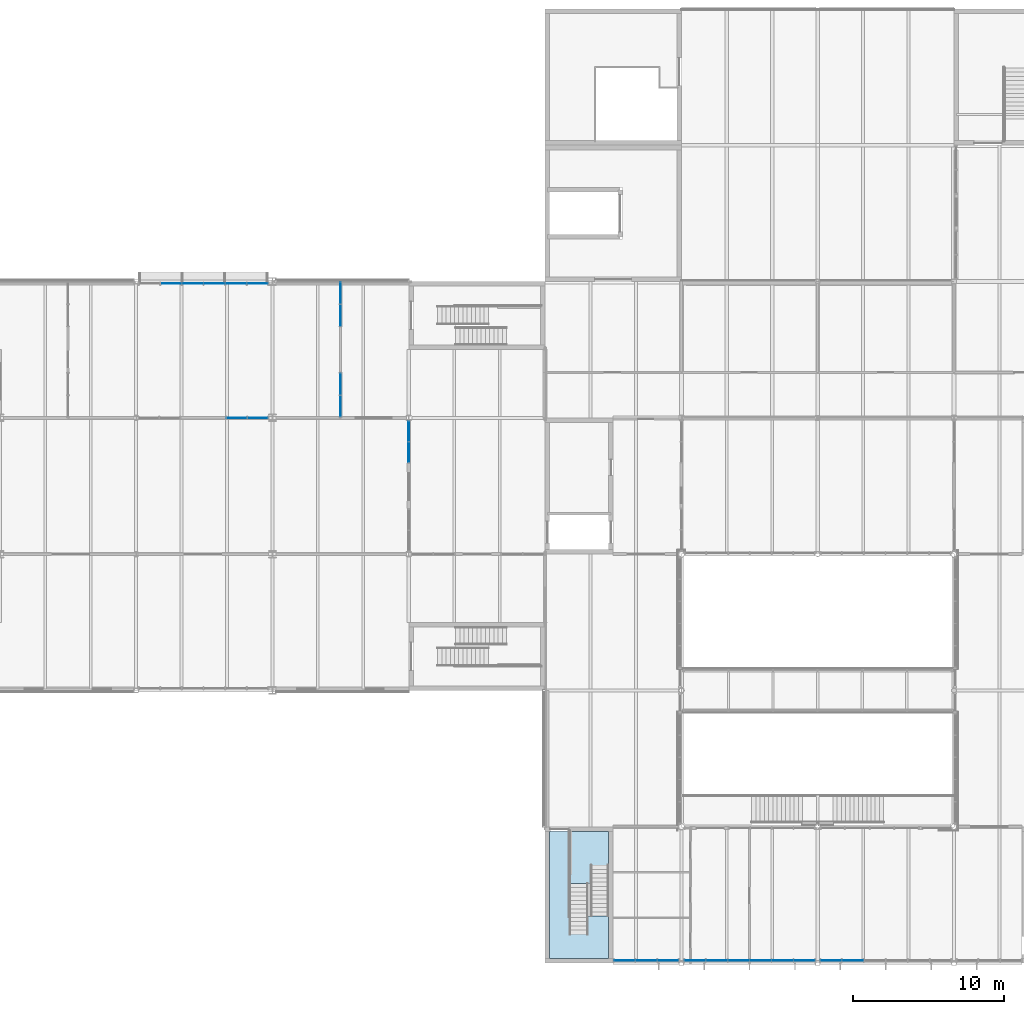
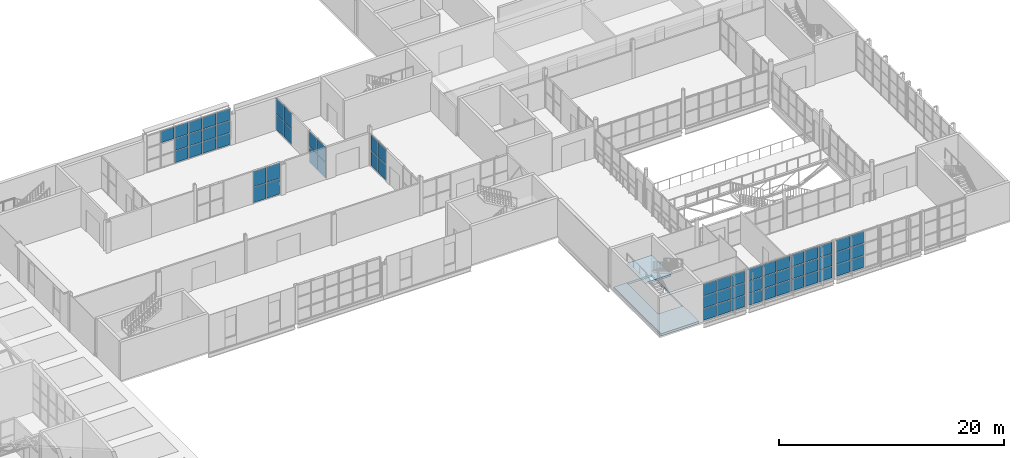
# One storey, part 36 of 61: 62 plates, 2 slabs, 9 elements without a shape of their own.
"""IFC4 building model written with IfcOpenShell, lengths in metres."""

from ifc_helpers import new_model, si_unit, direction, frame, origin, origin_2d, place, context, subcontext, project, spatial, polyline, rectangle, outline, extrude, material, layer, layer_set, type_object, element, aggregate, save


model = new_model("IFC4")

# Units and contexts
model_context = context("Model", 3, precision=1e-05, world=origin(), true_north=direction((0.0, 1.0)))
body_context = subcontext(model_context, "Body", "Model", "MODEL_VIEW")
ifc_project = project(units=[si_unit("LENGTHUNIT", "METRE"), si_unit("AREAUNIT", "SQUARE_METRE"), si_unit("VOLUMEUNIT", "CUBIC_METRE"), si_unit("PLANEANGLEUNIT", "RADIAN"), si_unit("MASSUNIT", "GRAM", prefix="KILO")], contexts=[model_context])

# Site, building, storey
site_placement = place(None, origin())
site = spatial("IfcSite", under=ifc_project, at=site_placement, CompositionType="ELEMENT")
building_placement = place(site_placement, origin())
building = spatial("IfcBuilding", under=site, at=building_placement, Name="Halyard Row Museum", CompositionType="ELEMENT")
storey_placement = place(building_placement, frame((0.0, 0.0, 9.199951171875)))
storey = spatial("IfcBuildingStorey", under=building, at=storey_placement, Name="L02", CompositionType="ELEMENT", Elevation=9.199951171875)

# Slab
ifc_material_1 = material(Name="Concrete 40 MPa", Category="concrete")
ifc_layer_1 = layer(ifc_material_1, 0.25)
ifc_layer_set_1 = layer_set([ifc_layer_1], Name="Concrete 40 MPa")
slab_type_1 = type_object("IfcSlabType", Name="Core floor slab 250", PredefinedType="FLOOR", material=ifc_layer_set_1)
slab_1_placement = place(storey_placement, frame((0.0, 0.0, -0.25)))
element("IfcSlab", 1, at=slab_1_placement, inside=storey, type_object=slab_type_1, Name="Core floor K2A L02", PredefinedType="FLOOR", context=body_context, shape_type="SweptSolid", body=[
    extrude(outline(polyline([(76.199951171875, 8.699951171875), (72.300048828125, 8.699951171875), (72.300048828125, 0.300048828125), (76.199951171875, 0.300048828125), (76.199951171875, 8.699951171875)]), holes=[polyline([(73.653076171875, 8.697021484375), (76.197021484375, 8.697021484375), (76.197021484375, 3.10302734375), (73.653076171875, 3.10302734375), (73.653076171875, 8.697021484375)])]), origin(), (0.0, 0.0, 1.0), 0.25),
])

# Curtain wall, plates
ifc_material_2 = material(Name="Double glazed unit, low-emissivity", Category="glass")
ifc_layer_2 = layer(ifc_material_2, 0.179931640625)
ifc_layer_set_2 = layer_set([ifc_layer_2], Name="Double glazed unit, low-emissivity")
curtain_wall_type_1 = type_object("IfcCurtainWallType", Name="Curtain wall stick 180 deep", PredefinedType="NOTDEFINED", material=ifc_layer_set_2)
curtain_wall_1_placement = place(storey_placement, origin())
curtain_wall_1 = element("IfcCurtainWall", 2, at=curtain_wall_1_placement, inside=storey, type_object=curtain_wall_type_1, Name="Curtain wall CW035", PredefinedType="NOTDEFINED")
ifc_material_3 = material(Name="Double glazed unit, low-emissivity", Category="glass")
ifc_layer_3 = layer(ifc_material_3, 0.028076171875)
ifc_layer_set_3 = layer_set([ifc_layer_3], Name="Double glazed unit, low-emissivity")
plate_type_1 = type_object("IfcPlateType", Name="Curtain wall glazed panel CP2 28", PredefinedType="CURTAIN_PANEL", material=ifc_layer_set_3)
plate_1_placement = place(storey_placement, frame((53.018310546875, 44.860107421875, 0.06005859375), z_axis=(0.0, 0.0, 1.0), x_axis=(-1.0, 0.0, 0.0)))
plate_1 = element("IfcPlate", 3, at=plate_1_placement, type_object=plate_type_1, Name="CW035 panel 1.1", PredefinedType="CURTAIN_PANEL", context=body_context, shape_type="SweptSolid", body=[
    extrude(rectangle(XDim=1.34326171875, YDim=0.028076171875, at=origin_2d()), origin(), (0.0, 0.0, 1.0), 1.2548828125),
])
plate_2_placement = place(storey_placement, frame((53.018310546875, 44.860107421875, 1.375), z_axis=(0.0, 0.0, 1.0), x_axis=(-1.0, 0.0, 0.0)))
plate_2 = element("IfcPlate", 4, at=plate_2_placement, type_object=plate_type_1, Name="CW035 panel 1.2", PredefinedType="CURTAIN_PANEL", context=body_context, shape_type="SweptSolid", body=[
    extrude(rectangle(XDim=1.34326171875, YDim=0.028076171875, at=origin_2d()), origin(), (0.0, 0.0, 1.0), 1.284912109375),
])
plate_3_placement = place(storey_placement, frame((53.018310546875, 44.860107421875, 2.72021484375), z_axis=(0.0, 0.0, 1.0), x_axis=(-1.0, 0.0, 0.0)))
plate_3 = element("IfcPlate", 5, at=plate_3_placement, type_object=plate_type_1, Name="CW035 panel 1.3", PredefinedType="CURTAIN_PANEL", context=body_context, shape_type="SweptSolid", body=[
    extrude(rectangle(XDim=1.34326171875, YDim=0.028076171875, at=origin_2d()), origin(), (0.0, 0.0, 1.0), 1.2548828125),
])
plate_4_placement = place(storey_placement, frame((51.60009765625, 44.860107421875, 0.06005859375), z_axis=(0.0, 0.0, 1.0), x_axis=(-1.0, 0.0, 0.0)))
plate_4 = element("IfcPlate", 6, at=plate_4_placement, type_object=plate_type_1, Name="CW035 panel 2.1", PredefinedType="CURTAIN_PANEL", context=body_context, shape_type="SweptSolid", body=[
    extrude(rectangle(XDim=1.373291015625, YDim=0.028076171875, at=origin_2d()), origin(), (0.0, 0.0, 1.0), 1.2548828125),
])
plate_5_placement = place(storey_placement, frame((51.60009765625, 44.860107421875, 1.375), z_axis=(0.0, 0.0, 1.0), x_axis=(-1.0, 0.0, 0.0)))
plate_5 = element("IfcPlate", 7, at=plate_5_placement, type_object=plate_type_1, Name="CW035 panel 2.2", PredefinedType="CURTAIN_PANEL", context=body_context, shape_type="SweptSolid", body=[
    extrude(rectangle(XDim=1.373291015625, YDim=0.028076171875, at=origin_2d()), origin(), (0.0, 0.0, 1.0), 1.284912109375),
])
plate_6_placement = place(storey_placement, frame((51.60009765625, 44.860107421875, 2.72021484375), z_axis=(0.0, 0.0, 1.0), x_axis=(-1.0, 0.0, 0.0)))
plate_6 = element("IfcPlate", 8, at=plate_6_placement, type_object=plate_type_1, Name="CW035 panel 2.3", PredefinedType="CURTAIN_PANEL", context=body_context, shape_type="SweptSolid", body=[
    extrude(rectangle(XDim=1.373291015625, YDim=0.028076171875, at=origin_2d()), origin(), (0.0, 0.0, 1.0), 1.2548828125),
])
plate_7_placement = place(storey_placement, frame((50.166748046875, 44.860107421875, 0.06005859375), z_axis=(0.0, 0.0, 1.0), x_axis=(-1.0, 0.0, 0.0)))
plate_7 = element("IfcPlate", 9, at=plate_7_placement, type_object=plate_type_1, Name="CW035 panel 3.1", PredefinedType="CURTAIN_PANEL", context=body_context, shape_type="SweptSolid", body=[
    extrude(rectangle(XDim=1.373291015625, YDim=0.028076171875, at=origin_2d()), origin(), (0.0, 0.0, 1.0), 1.2548828125),
])
plate_8_placement = place(storey_placement, frame((50.166748046875, 44.860107421875, 1.375), z_axis=(0.0, 0.0, 1.0), x_axis=(-1.0, 0.0, 0.0)))
plate_8 = element("IfcPlate", 10, at=plate_8_placement, type_object=plate_type_1, Name="CW035 panel 3.2", PredefinedType="CURTAIN_PANEL", context=body_context, shape_type="SweptSolid", body=[
    extrude(rectangle(XDim=1.373291015625, YDim=0.028076171875, at=origin_2d()), origin(), (0.0, 0.0, 1.0), 1.284912109375),
])
plate_9_placement = place(storey_placement, frame((50.166748046875, 44.860107421875, 2.72021484375), z_axis=(0.0, 0.0, 1.0), x_axis=(-1.0, 0.0, 0.0)))
plate_9 = element("IfcPlate", 11, at=plate_9_placement, type_object=plate_type_1, Name="CW035 panel 3.3", PredefinedType="CURTAIN_PANEL", context=body_context, shape_type="SweptSolid", body=[
    extrude(rectangle(XDim=1.373291015625, YDim=0.028076171875, at=origin_2d()), origin(), (0.0, 0.0, 1.0), 1.2548828125),
])
plate_10_placement = place(storey_placement, frame((48.7333984375, 44.860107421875, 0.06005859375), z_axis=(0.0, 0.0, 1.0), x_axis=(-1.0, 0.0, 0.0)))
plate_10 = element("IfcPlate", 12, at=plate_10_placement, type_object=plate_type_1, Name="CW035 panel 4.1", PredefinedType="CURTAIN_PANEL", context=body_context, shape_type="SweptSolid", body=[
    extrude(rectangle(XDim=1.373291015625, YDim=0.028076171875, at=origin_2d()), origin(), (0.0, 0.0, 1.0), 1.2548828125),
])
plate_11_placement = place(storey_placement, frame((48.7333984375, 44.860107421875, 1.375), z_axis=(0.0, 0.0, 1.0), x_axis=(-1.0, 0.0, 0.0)))
plate_11 = element("IfcPlate", 13, at=plate_11_placement, type_object=plate_type_1, Name="CW035 panel 4.2", PredefinedType="CURTAIN_PANEL", context=body_context, shape_type="SweptSolid", body=[
    extrude(rectangle(XDim=1.373291015625, YDim=0.028076171875, at=origin_2d()), origin(), (0.0, 0.0, 1.0), 1.284912109375),
])
plate_12_placement = place(storey_placement, frame((48.7333984375, 44.860107421875, 2.72021484375), z_axis=(0.0, 0.0, 1.0), x_axis=(-1.0, 0.0, 0.0)))
plate_12 = element("IfcPlate", 14, at=plate_12_placement, type_object=plate_type_1, Name="CW035 panel 4.3", PredefinedType="CURTAIN_PANEL", context=body_context, shape_type="SweptSolid", body=[
    extrude(rectangle(XDim=1.373291015625, YDim=0.028076171875, at=origin_2d()), origin(), (0.0, 0.0, 1.0), 1.2548828125),
])
plate_13_placement = place(storey_placement, frame((47.300048828125, 44.860107421875, 2.72021484375), z_axis=(0.0, 0.0, 1.0), x_axis=(-1.0, 0.0, 0.0)))
plate_13 = element("IfcPlate", 15, at=plate_13_placement, type_object=plate_type_1, Name="CW035 panel 5.3", PredefinedType="CURTAIN_PANEL", context=body_context, shape_type="SweptSolid", body=[
    extrude(rectangle(XDim=1.373291015625, YDim=0.028076171875, at=origin_2d()), origin(), (0.0, 0.0, 1.0), 1.2548828125),
])
aggregate(curtain_wall_1, [plate_1, plate_2, plate_3, plate_4, plate_5, plate_6, plate_7, plate_8, plate_9, plate_10, plate_11, plate_12, plate_13])

curtain_wall_2_placement = place(storey_placement, origin())
curtain_wall_2 = element("IfcCurtainWall", 16, at=curtain_wall_2_placement, inside=storey, type_object=curtain_wall_type_1, Name="Curtain wall CW165", PredefinedType="NOTDEFINED")
plate_14_placement = place(storey_placement, frame((51.656494140625, 36.0, 0.06005859375), z_axis=(0.0, 0.0, 1.0), x_axis=(1.0, 0.0, 0.0)))
plate_14 = element("IfcPlate", 17, at=plate_14_placement, type_object=plate_type_1, Name="CW165 panel 1.1", PredefinedType="CURTAIN_PANEL", context=body_context, shape_type="SweptSolid", body=[
    extrude(rectangle(XDim=1.315673828125, YDim=0.028076171875, at=origin_2d()), origin(), (0.0, 0.0, 1.0), 1.660888671875),
])
plate_15_placement = place(storey_placement, frame((51.656494140625, 36.0, 1.78125), z_axis=(0.0, 0.0, 1.0), x_axis=(1.0, 0.0, 0.0)))
plate_15 = element("IfcPlate", 18, at=plate_15_placement, type_object=plate_type_1, Name="CW165 panel 1.2", PredefinedType="CURTAIN_PANEL", context=body_context, shape_type="SweptSolid", body=[
    extrude(rectangle(XDim=1.315673828125, YDim=0.028076171875, at=origin_2d()), origin(), (0.0, 0.0, 1.0), 1.660888671875),
])
plate_16_placement = place(storey_placement, frame((53.0322265625, 36.0, 0.06005859375), z_axis=(0.0, 0.0, 1.0), x_axis=(1.0, 0.0, 0.0)))
plate_16 = element("IfcPlate", 19, at=plate_16_placement, type_object=plate_type_1, Name="CW165 panel 2.1", PredefinedType="CURTAIN_PANEL", context=body_context, shape_type="SweptSolid", body=[
    extrude(rectangle(XDim=1.315673828125, YDim=0.028076171875, at=origin_2d()), origin(), (0.0, 0.0, 1.0), 1.660888671875),
])
plate_17_placement = place(storey_placement, frame((53.0322265625, 36.0, 1.78125), z_axis=(0.0, 0.0, 1.0), x_axis=(1.0, 0.0, 0.0)))
plate_17 = element("IfcPlate", 20, at=plate_17_placement, type_object=plate_type_1, Name="CW165 panel 2.2", PredefinedType="CURTAIN_PANEL", context=body_context, shape_type="SweptSolid", body=[
    extrude(rectangle(XDim=1.315673828125, YDim=0.028076171875, at=origin_2d()), origin(), (0.0, 0.0, 1.0), 1.660888671875),
])
aggregate(curtain_wall_2, [plate_14, plate_15, plate_16, plate_17])

ifc_material_4 = material(Name="Double glazed unit, low-emissivity", Category="glass")
ifc_layer_4 = layer(ifc_material_4, 0.219970703125)
ifc_layer_set_4 = layer_set([ifc_layer_4], Name="Double glazed unit, low-emissivity")
curtain_wall_type_2 = type_object("IfcCurtainWallType", Name="Curtain wall unitised 220 deep", PredefinedType="NOTDEFINED", material=ifc_layer_set_4)
curtain_wall_3_placement = place(storey_placement, origin())
curtain_wall_3 = element("IfcCurtainWall", 21, at=curtain_wall_3_placement, inside=storey, type_object=curtain_wall_type_2, Name="Curtain wall CW037", PredefinedType="NOTDEFINED")
ifc_material_5 = material(Name="Double glazed unit, low-emissivity", Category="glass")
ifc_layer_5 = layer(ifc_material_5, 0.035888671875)
ifc_layer_set_5 = layer_set([ifc_layer_5], Name="Double glazed unit, low-emissivity")
plate_type_2 = type_object("IfcPlateType", Name="Curtain wall glazed panel CP3 36", PredefinedType="CURTAIN_PANEL", material=ifc_layer_set_5)
plate_18_placement = place(storey_placement, frame((77.239990234375, 0.159912109375, 0.06005859375), z_axis=(0.0, 0.0, 1.0), x_axis=(1.0, 0.0, 0.0)))
plate_18 = element("IfcPlate", 22, at=plate_18_placement, type_object=plate_type_2, Name="CW037 panel 1.1", PredefinedType="CURTAIN_PANEL", context=body_context, shape_type="SweptSolid", body=[
    extrude(rectangle(XDim=1.360107421875, YDim=0.035888671875, at=origin_2d()), origin(), (0.0, 0.0, 1.0), 1.2548828125),
])
plate_19_placement = place(storey_placement, frame((77.239990234375, 0.159912109375, 1.375), z_axis=(0.0, 0.0, 1.0), x_axis=(1.0, 0.0, 0.0)))
plate_19 = element("IfcPlate", 23, at=plate_19_placement, type_object=plate_type_2, Name="CW037 panel 1.2", PredefinedType="CURTAIN_PANEL", context=body_context, shape_type="SweptSolid", body=[
    extrude(rectangle(XDim=1.360107421875, YDim=0.035888671875, at=origin_2d()), origin(), (0.0, 0.0, 1.0), 1.284912109375),
])
plate_20_placement = place(storey_placement, frame((77.239990234375, 0.159912109375, 2.72021484375), z_axis=(0.0, 0.0, 1.0), x_axis=(1.0, 0.0, 0.0)))
plate_20 = element("IfcPlate", 24, at=plate_20_placement, type_object=plate_type_2, Name="CW037 panel 1.3", PredefinedType="CURTAIN_PANEL", context=body_context, shape_type="SweptSolid", body=[
    extrude(rectangle(XDim=1.360107421875, YDim=0.035888671875, at=origin_2d()), origin(), (0.0, 0.0, 1.0), 1.2548828125),
])
plate_21_placement = place(storey_placement, frame((78.675048828125, 0.159912109375, 0.06005859375), z_axis=(0.0, 0.0, 1.0), x_axis=(1.0, 0.0, 0.0)))
plate_21 = element("IfcPlate", 25, at=plate_21_placement, type_object=plate_type_2, Name="CW037 panel 2.1", PredefinedType="CURTAIN_PANEL", context=body_context, shape_type="SweptSolid", body=[
    extrude(rectangle(XDim=1.389892578125, YDim=0.035888671875, at=origin_2d()), origin(), (0.0, 0.0, 1.0), 1.2548828125),
])
plate_22_placement = place(storey_placement, frame((78.675048828125, 0.159912109375, 1.375), z_axis=(0.0, 0.0, 1.0), x_axis=(1.0, 0.0, 0.0)))
plate_22 = element("IfcPlate", 26, at=plate_22_placement, type_object=plate_type_2, Name="CW037 panel 2.2", PredefinedType="CURTAIN_PANEL", context=body_context, shape_type="SweptSolid", body=[
    extrude(rectangle(XDim=1.389892578125, YDim=0.035888671875, at=origin_2d()), origin(), (0.0, 0.0, 1.0), 1.284912109375),
])
plate_23_placement = place(storey_placement, frame((78.675048828125, 0.159912109375, 2.72021484375), z_axis=(0.0, 0.0, 1.0), x_axis=(1.0, 0.0, 0.0)))
plate_23 = element("IfcPlate", 27, at=plate_23_placement, type_object=plate_type_2, Name="CW037 panel 2.3", PredefinedType="CURTAIN_PANEL", context=body_context, shape_type="SweptSolid", body=[
    extrude(rectangle(XDim=1.389892578125, YDim=0.035888671875, at=origin_2d()), origin(), (0.0, 0.0, 1.0), 1.2548828125),
])
plate_24_placement = place(storey_placement, frame((80.110107421875, 0.159912109375, 0.06005859375), z_axis=(0.0, 0.0, 1.0), x_axis=(1.0, 0.0, 0.0)))
plate_24 = element("IfcPlate", 28, at=plate_24_placement, type_object=plate_type_2, Name="CW037 panel 3.1", PredefinedType="CURTAIN_PANEL", context=body_context, shape_type="SweptSolid", body=[
    extrude(rectangle(XDim=1.360107421875, YDim=0.035888671875, at=origin_2d()), origin(), (0.0, 0.0, 1.0), 1.2548828125),
])
plate_25_placement = place(storey_placement, frame((80.110107421875, 0.159912109375, 1.375), z_axis=(0.0, 0.0, 1.0), x_axis=(1.0, 0.0, 0.0)))
plate_25 = element("IfcPlate", 29, at=plate_25_placement, type_object=plate_type_2, Name="CW037 panel 3.2", PredefinedType="CURTAIN_PANEL", context=body_context, shape_type="SweptSolid", body=[
    extrude(rectangle(XDim=1.360107421875, YDim=0.035888671875, at=origin_2d()), origin(), (0.0, 0.0, 1.0), 1.284912109375),
])
plate_26_placement = place(storey_placement, frame((80.110107421875, 0.159912109375, 2.72021484375), z_axis=(0.0, 0.0, 1.0), x_axis=(1.0, 0.0, 0.0)))
plate_26 = element("IfcPlate", 30, at=plate_26_placement, type_object=plate_type_2, Name="CW037 panel 3.3", PredefinedType="CURTAIN_PANEL", context=body_context, shape_type="SweptSolid", body=[
    extrude(rectangle(XDim=1.360107421875, YDim=0.035888671875, at=origin_2d()), origin(), (0.0, 0.0, 1.0), 1.2548828125),
])
aggregate(curtain_wall_3, [plate_18, plate_19, plate_20, plate_21, plate_22, plate_23, plate_24, plate_25, plate_26])

curtain_wall_4_placement = place(storey_placement, origin())
curtain_wall_4 = element("IfcCurtainWall", 31, at=curtain_wall_4_placement, inside=storey, type_object=curtain_wall_type_2, Name="Curtain wall CW038", PredefinedType="NOTDEFINED")
plate_27_placement = place(storey_placement, frame((81.889892578125, 0.159912109375, 0.06005859375), z_axis=(0.0, 0.0, 1.0), x_axis=(1.0, 0.0, 0.0)))
plate_27 = element("IfcPlate", 32, at=plate_27_placement, type_object=plate_type_2, Name="CW038 panel 1.1", PredefinedType="CURTAIN_PANEL", context=body_context, shape_type="SweptSolid", body=[
    extrude(rectangle(XDim=1.360107421875, YDim=0.035888671875, at=origin_2d()), origin(), (0.0, 0.0, 1.0), 1.2548828125),
])
plate_28_placement = place(storey_placement, frame((81.889892578125, 0.159912109375, 1.375), z_axis=(0.0, 0.0, 1.0), x_axis=(1.0, 0.0, 0.0)))
plate_28 = element("IfcPlate", 33, at=plate_28_placement, type_object=plate_type_2, Name="CW038 panel 1.2", PredefinedType="CURTAIN_PANEL", context=body_context, shape_type="SweptSolid", body=[
    extrude(rectangle(XDim=1.360107421875, YDim=0.035888671875, at=origin_2d()), origin(), (0.0, 0.0, 1.0), 1.284912109375),
])
plate_29_placement = place(storey_placement, frame((81.889892578125, 0.159912109375, 2.72021484375), z_axis=(0.0, 0.0, 1.0), x_axis=(1.0, 0.0, 0.0)))
plate_29 = element("IfcPlate", 34, at=plate_29_placement, type_object=plate_type_2, Name="CW038 panel 1.3", PredefinedType="CURTAIN_PANEL", context=body_context, shape_type="SweptSolid", body=[
    extrude(rectangle(XDim=1.360107421875, YDim=0.035888671875, at=origin_2d()), origin(), (0.0, 0.0, 1.0), 1.2548828125),
])
plate_30_placement = place(storey_placement, frame((83.324951171875, 0.159912109375, 0.06005859375), z_axis=(0.0, 0.0, 1.0), x_axis=(1.0, 0.0, 0.0)))
plate_30 = element("IfcPlate", 35, at=plate_30_placement, type_object=plate_type_2, Name="CW038 panel 2.1", PredefinedType="CURTAIN_PANEL", context=body_context, shape_type="SweptSolid", body=[
    extrude(rectangle(XDim=1.389892578125, YDim=0.035888671875, at=origin_2d()), origin(), (0.0, 0.0, 1.0), 1.2548828125),
])
plate_31_placement = place(storey_placement, frame((83.324951171875, 0.159912109375, 1.375), z_axis=(0.0, 0.0, 1.0), x_axis=(1.0, 0.0, 0.0)))
plate_31 = element("IfcPlate", 36, at=plate_31_placement, type_object=plate_type_2, Name="CW038 panel 2.2", PredefinedType="CURTAIN_PANEL", context=body_context, shape_type="SweptSolid", body=[
    extrude(rectangle(XDim=1.389892578125, YDim=0.035888671875, at=origin_2d()), origin(), (0.0, 0.0, 1.0), 1.284912109375),
])
plate_32_placement = place(storey_placement, frame((83.324951171875, 0.159912109375, 2.72021484375), z_axis=(0.0, 0.0, 1.0), x_axis=(1.0, 0.0, 0.0)))
plate_32 = element("IfcPlate", 37, at=plate_32_placement, type_object=plate_type_2, Name="CW038 panel 2.3", PredefinedType="CURTAIN_PANEL", context=body_context, shape_type="SweptSolid", body=[
    extrude(rectangle(XDim=1.389892578125, YDim=0.035888671875, at=origin_2d()), origin(), (0.0, 0.0, 1.0), 1.2548828125),
])
plate_33_placement = place(storey_placement, frame((84.77490234375, 0.159912109375, 0.06005859375), z_axis=(0.0, 0.0, 1.0), x_axis=(1.0, 0.0, 0.0)))
plate_33 = element("IfcPlate", 38, at=plate_33_placement, type_object=plate_type_2, Name="CW038 panel 3.1", PredefinedType="CURTAIN_PANEL", context=body_context, shape_type="SweptSolid", body=[
    extrude(rectangle(XDim=1.389892578125, YDim=0.035888671875, at=origin_2d()), origin(), (0.0, 0.0, 1.0), 1.2548828125),
])
plate_34_placement = place(storey_placement, frame((84.77490234375, 0.159912109375, 1.375), z_axis=(0.0, 0.0, 1.0), x_axis=(1.0, 0.0, 0.0)))
plate_34 = element("IfcPlate", 39, at=plate_34_placement, type_object=plate_type_2, Name="CW038 panel 3.2", PredefinedType="CURTAIN_PANEL", context=body_context, shape_type="SweptSolid", body=[
    extrude(rectangle(XDim=1.389892578125, YDim=0.035888671875, at=origin_2d()), origin(), (0.0, 0.0, 1.0), 1.284912109375),
])
plate_35_placement = place(storey_placement, frame((84.77490234375, 0.159912109375, 2.72021484375), z_axis=(0.0, 0.0, 1.0), x_axis=(1.0, 0.0, 0.0)))
plate_35 = element("IfcPlate", 40, at=plate_35_placement, type_object=plate_type_2, Name="CW038 panel 3.3", PredefinedType="CURTAIN_PANEL", context=body_context, shape_type="SweptSolid", body=[
    extrude(rectangle(XDim=1.389892578125, YDim=0.035888671875, at=origin_2d()), origin(), (0.0, 0.0, 1.0), 1.2548828125),
])
plate_36_placement = place(storey_placement, frame((86.22509765625, 0.159912109375, 0.06005859375), z_axis=(0.0, 0.0, 1.0), x_axis=(1.0, 0.0, 0.0)))
plate_36 = element("IfcPlate", 41, at=plate_36_placement, type_object=plate_type_2, Name="CW038 panel 4.1", PredefinedType="CURTAIN_PANEL", context=body_context, shape_type="SweptSolid", body=[
    extrude(rectangle(XDim=1.389892578125, YDim=0.035888671875, at=origin_2d()), origin(), (0.0, 0.0, 1.0), 1.2548828125),
])
plate_37_placement = place(storey_placement, frame((86.22509765625, 0.159912109375, 1.375), z_axis=(0.0, 0.0, 1.0), x_axis=(1.0, 0.0, 0.0)))
plate_37 = element("IfcPlate", 42, at=plate_37_placement, type_object=plate_type_2, Name="CW038 panel 4.2", PredefinedType="CURTAIN_PANEL", context=body_context, shape_type="SweptSolid", body=[
    extrude(rectangle(XDim=1.389892578125, YDim=0.035888671875, at=origin_2d()), origin(), (0.0, 0.0, 1.0), 1.284912109375),
])
plate_38_placement = place(storey_placement, frame((86.22509765625, 0.159912109375, 2.72021484375), z_axis=(0.0, 0.0, 1.0), x_axis=(1.0, 0.0, 0.0)))
plate_38 = element("IfcPlate", 43, at=plate_38_placement, type_object=plate_type_2, Name="CW038 panel 4.3", PredefinedType="CURTAIN_PANEL", context=body_context, shape_type="SweptSolid", body=[
    extrude(rectangle(XDim=1.389892578125, YDim=0.035888671875, at=origin_2d()), origin(), (0.0, 0.0, 1.0), 1.2548828125),
])
plate_39_placement = place(storey_placement, frame((87.675048828125, 0.159912109375, 0.06005859375), z_axis=(0.0, 0.0, 1.0), x_axis=(1.0, 0.0, 0.0)))
plate_39 = element("IfcPlate", 44, at=plate_39_placement, type_object=plate_type_2, Name="CW038 panel 5.1", PredefinedType="CURTAIN_PANEL", context=body_context, shape_type="SweptSolid", body=[
    extrude(rectangle(XDim=1.389892578125, YDim=0.035888671875, at=origin_2d()), origin(), (0.0, 0.0, 1.0), 1.2548828125),
])
plate_40_placement = place(storey_placement, frame((87.675048828125, 0.159912109375, 1.375), z_axis=(0.0, 0.0, 1.0), x_axis=(1.0, 0.0, 0.0)))
plate_40 = element("IfcPlate", 45, at=plate_40_placement, type_object=plate_type_2, Name="CW038 panel 5.2", PredefinedType="CURTAIN_PANEL", context=body_context, shape_type="SweptSolid", body=[
    extrude(rectangle(XDim=1.389892578125, YDim=0.035888671875, at=origin_2d()), origin(), (0.0, 0.0, 1.0), 1.284912109375),
])
plate_41_placement = place(storey_placement, frame((87.675048828125, 0.159912109375, 2.72021484375), z_axis=(0.0, 0.0, 1.0), x_axis=(1.0, 0.0, 0.0)))
plate_41 = element("IfcPlate", 46, at=plate_41_placement, type_object=plate_type_2, Name="CW038 panel 5.3", PredefinedType="CURTAIN_PANEL", context=body_context, shape_type="SweptSolid", body=[
    extrude(rectangle(XDim=1.389892578125, YDim=0.035888671875, at=origin_2d()), origin(), (0.0, 0.0, 1.0), 1.2548828125),
])
plate_42_placement = place(storey_placement, frame((89.110107421875, 0.159912109375, 0.06005859375), z_axis=(0.0, 0.0, 1.0), x_axis=(1.0, 0.0, 0.0)))
plate_42 = element("IfcPlate", 47, at=plate_42_placement, type_object=plate_type_2, Name="CW038 panel 6.1", PredefinedType="CURTAIN_PANEL", context=body_context, shape_type="SweptSolid", body=[
    extrude(rectangle(XDim=1.360107421875, YDim=0.035888671875, at=origin_2d()), origin(), (0.0, 0.0, 1.0), 1.2548828125),
])
plate_43_placement = place(storey_placement, frame((89.110107421875, 0.159912109375, 1.375), z_axis=(0.0, 0.0, 1.0), x_axis=(1.0, 0.0, 0.0)))
plate_43 = element("IfcPlate", 48, at=plate_43_placement, type_object=plate_type_2, Name="CW038 panel 6.2", PredefinedType="CURTAIN_PANEL", context=body_context, shape_type="SweptSolid", body=[
    extrude(rectangle(XDim=1.360107421875, YDim=0.035888671875, at=origin_2d()), origin(), (0.0, 0.0, 1.0), 1.284912109375),
])
plate_44_placement = place(storey_placement, frame((89.110107421875, 0.159912109375, 2.72021484375), z_axis=(0.0, 0.0, 1.0), x_axis=(1.0, 0.0, 0.0)))
plate_44 = element("IfcPlate", 49, at=plate_44_placement, type_object=plate_type_2, Name="CW038 panel 6.3", PredefinedType="CURTAIN_PANEL", context=body_context, shape_type="SweptSolid", body=[
    extrude(rectangle(XDim=1.360107421875, YDim=0.035888671875, at=origin_2d()), origin(), (0.0, 0.0, 1.0), 1.2548828125),
])
aggregate(curtain_wall_4, [plate_27, plate_28, plate_29, plate_30, plate_31, plate_32, plate_33, plate_34, plate_35, plate_36, plate_37, plate_38, plate_39, plate_40, plate_41, plate_42, plate_43, plate_44])

curtain_wall_5_placement = place(storey_placement, origin())
curtain_wall_5 = element("IfcCurtainWall", 50, at=curtain_wall_5_placement, inside=storey, type_object=curtain_wall_type_2, Name="Curtain wall CW039", PredefinedType="NOTDEFINED")
plate_45_placement = place(storey_placement, frame((90.889892578125, 0.159912109375, 0.06005859375), z_axis=(0.0, 0.0, 1.0), x_axis=(1.0, 0.0, 0.0)))
plate_45 = element("IfcPlate", 51, at=plate_45_placement, type_object=plate_type_2, Name="CW039 panel 1.1", PredefinedType="CURTAIN_PANEL", context=body_context, shape_type="SweptSolid", body=[
    extrude(rectangle(XDim=1.360107421875, YDim=0.035888671875, at=origin_2d()), origin(), (0.0, 0.0, 1.0), 1.2548828125),
])
plate_46_placement = place(storey_placement, frame((90.889892578125, 0.159912109375, 1.375), z_axis=(0.0, 0.0, 1.0), x_axis=(1.0, 0.0, 0.0)))
plate_46 = element("IfcPlate", 52, at=plate_46_placement, type_object=plate_type_2, Name="CW039 panel 1.2", PredefinedType="CURTAIN_PANEL", context=body_context, shape_type="SweptSolid", body=[
    extrude(rectangle(XDim=1.360107421875, YDim=0.035888671875, at=origin_2d()), origin(), (0.0, 0.0, 1.0), 1.284912109375),
])
plate_47_placement = place(storey_placement, frame((90.889892578125, 0.159912109375, 2.72021484375), z_axis=(0.0, 0.0, 1.0), x_axis=(1.0, 0.0, 0.0)))
plate_47 = element("IfcPlate", 53, at=plate_47_placement, type_object=plate_type_2, Name="CW039 panel 1.3", PredefinedType="CURTAIN_PANEL", context=body_context, shape_type="SweptSolid", body=[
    extrude(rectangle(XDim=1.360107421875, YDim=0.035888671875, at=origin_2d()), origin(), (0.0, 0.0, 1.0), 1.2548828125),
])
plate_48_placement = place(storey_placement, frame((92.324951171875, 0.159912109375, 0.06005859375), z_axis=(0.0, 0.0, 1.0), x_axis=(1.0, 0.0, 0.0)))
plate_48 = element("IfcPlate", 54, at=plate_48_placement, type_object=plate_type_2, Name="CW039 panel 2.1", PredefinedType="CURTAIN_PANEL", context=body_context, shape_type="SweptSolid", body=[
    extrude(rectangle(XDim=1.389892578125, YDim=0.035888671875, at=origin_2d()), origin(), (0.0, 0.0, 1.0), 1.2548828125),
])
plate_49_placement = place(storey_placement, frame((92.324951171875, 0.159912109375, 1.375), z_axis=(0.0, 0.0, 1.0), x_axis=(1.0, 0.0, 0.0)))
plate_49 = element("IfcPlate", 55, at=plate_49_placement, type_object=plate_type_2, Name="CW039 panel 2.2", PredefinedType="CURTAIN_PANEL", context=body_context, shape_type="SweptSolid", body=[
    extrude(rectangle(XDim=1.389892578125, YDim=0.035888671875, at=origin_2d()), origin(), (0.0, 0.0, 1.0), 1.284912109375),
])
plate_50_placement = place(storey_placement, frame((92.324951171875, 0.159912109375, 2.72021484375), z_axis=(0.0, 0.0, 1.0), x_axis=(1.0, 0.0, 0.0)))
plate_50 = element("IfcPlate", 56, at=plate_50_placement, type_object=plate_type_2, Name="CW039 panel 2.3", PredefinedType="CURTAIN_PANEL", context=body_context, shape_type="SweptSolid", body=[
    extrude(rectangle(XDim=1.389892578125, YDim=0.035888671875, at=origin_2d()), origin(), (0.0, 0.0, 1.0), 1.2548828125),
])
aggregate(curtain_wall_5, [plate_45, plate_46, plate_47, plate_48, plate_49, plate_50])

ifc_material_6 = material(Name="Fire-resisting laminated glazing", Category="glass")
ifc_layer_6 = layer(ifc_material_6, 0.159912109375)
ifc_layer_set_6 = layer_set([ifc_layer_6], Name="Fire-resisting laminated glazing")
curtain_wall_type_3 = type_object("IfcCurtainWallType", Name="Curtain wall atrium screen 160 deep", PredefinedType="NOTDEFINED", material=ifc_layer_set_6)
curtain_wall_6_placement = place(storey_placement, origin())
curtain_wall_6 = element("IfcCurtainWall", 57, at=curtain_wall_6_placement, inside=storey, type_object=curtain_wall_type_3, Name="Curtain wall CW167", PredefinedType="NOTDEFINED")
ifc_material_7 = material(Name="Fire-resisting laminated glazing", Category="glass")
ifc_layer_7 = layer(ifc_material_7, 0.0400390625)
ifc_layer_set_7 = layer_set([ifc_layer_7], Name="Fire-resisting laminated glazing")
plate_type_3 = type_object("IfcPlateType", Name="Curtain wall glazed panel CP5 40", PredefinedType="CURTAIN_PANEL", material=ifc_layer_set_7)
plate_51_placement = place(storey_placement, frame((63.0, 33.7265625, 0.06005859375), z_axis=(0.0, 0.0, 1.0), x_axis=(0.0, 1.0, 0.0)))
plate_51 = element("IfcPlate", 58, at=plate_51_placement, type_object=plate_type_3, Name="CW167 panel 1.1", PredefinedType="CURTAIN_PANEL", context=body_context, shape_type="SweptSolid", body=[
    extrude(rectangle(XDim=1.3330078125, YDim=0.0400390625, at=origin_2d()), origin(), (0.0, 0.0, 1.0), 1.660888671875),
])
plate_52_placement = place(storey_placement, frame((63.0, 33.7265625, 1.78125), z_axis=(0.0, 0.0, 1.0), x_axis=(0.0, 1.0, 0.0)))
plate_52 = element("IfcPlate", 59, at=plate_52_placement, type_object=plate_type_3, Name="CW167 panel 1.2", PredefinedType="CURTAIN_PANEL", context=body_context, shape_type="SweptSolid", body=[
    extrude(rectangle(XDim=1.3330078125, YDim=0.0400390625, at=origin_2d()), origin(), (0.0, 0.0, 1.0), 1.660888671875),
])
plate_53_placement = place(storey_placement, frame((63.0, 35.119384765625, 0.06005859375), z_axis=(0.0, 0.0, 1.0), x_axis=(0.0, 1.0, 0.0)))
plate_53 = element("IfcPlate", 60, at=plate_53_placement, type_object=plate_type_3, Name="CW167 panel 2.1", PredefinedType="CURTAIN_PANEL", context=body_context, shape_type="SweptSolid", body=[
    extrude(rectangle(XDim=1.3330078125, YDim=0.0400390625, at=origin_2d()), origin(), (0.0, 0.0, 1.0), 1.660888671875),
])
plate_54_placement = place(storey_placement, frame((63.0, 35.119384765625, 1.78125), z_axis=(0.0, 0.0, 1.0), x_axis=(0.0, 1.0, 0.0)))
plate_54 = element("IfcPlate", 61, at=plate_54_placement, type_object=plate_type_3, Name="CW167 panel 2.2", PredefinedType="CURTAIN_PANEL", context=body_context, shape_type="SweptSolid", body=[
    extrude(rectangle(XDim=1.3330078125, YDim=0.0400390625, at=origin_2d()), origin(), (0.0, 0.0, 1.0), 1.660888671875),
])
aggregate(curtain_wall_6, [plate_51, plate_52, plate_53, plate_54])

curtain_wall_7_placement = place(storey_placement, origin())
curtain_wall_7 = element("IfcCurtainWall", 62, at=curtain_wall_7_placement, inside=storey, type_object=curtain_wall_type_3, Name="Curtain wall CW170", PredefinedType="NOTDEFINED")
plate_55_placement = place(storey_placement, frame((58.5, 36.764892578125, 0.06005859375), z_axis=(0.0, 0.0, 1.0), x_axis=(0.0, 1.0, 0.0)))
plate_55 = element("IfcPlate", 63, at=plate_55_placement, type_object=plate_type_3, Name="CW170 panel 1.1", PredefinedType="CURTAIN_PANEL", context=body_context, shape_type="SweptSolid", body=[
    extrude(rectangle(XDim=1.409912109375, YDim=0.0400390625, at=origin_2d()), origin(), (0.0, 0.0, 1.0), 1.660888671875),
])
plate_56_placement = place(storey_placement, frame((58.5, 36.764892578125, 1.78125), z_axis=(0.0, 0.0, 1.0), x_axis=(0.0, 1.0, 0.0)))
plate_56 = element("IfcPlate", 64, at=plate_56_placement, type_object=plate_type_3, Name="CW170 panel 1.2", PredefinedType="CURTAIN_PANEL", context=body_context, shape_type="SweptSolid", body=[
    extrude(rectangle(XDim=1.409912109375, YDim=0.0400390625, at=origin_2d()), origin(), (0.0, 0.0, 1.0), 1.660888671875),
])
plate_57_placement = place(storey_placement, frame((58.5, 38.235107421875, 0.06005859375), z_axis=(0.0, 0.0, 1.0), x_axis=(0.0, 1.0, 0.0)))
plate_57 = element("IfcPlate", 65, at=plate_57_placement, type_object=plate_type_3, Name="CW170 panel 2.1", PredefinedType="CURTAIN_PANEL", context=body_context, shape_type="SweptSolid", body=[
    extrude(rectangle(XDim=1.409912109375, YDim=0.0400390625, at=origin_2d()), origin(), (0.0, 0.0, 1.0), 1.660888671875),
])
plate_58_placement = place(storey_placement, frame((58.5, 38.235107421875, 1.78125), z_axis=(0.0, 0.0, 1.0), x_axis=(0.0, 1.0, 0.0)))
plate_58 = element("IfcPlate", 66, at=plate_58_placement, type_object=plate_type_3, Name="CW170 panel 2.2", PredefinedType="CURTAIN_PANEL", context=body_context, shape_type="SweptSolid", body=[
    extrude(rectangle(XDim=1.409912109375, YDim=0.0400390625, at=origin_2d()), origin(), (0.0, 0.0, 1.0), 1.660888671875),
])
aggregate(curtain_wall_7, [plate_55, plate_56, plate_57, plate_58])

curtain_wall_8_placement = place(storey_placement, origin())
curtain_wall_8 = element("IfcCurtainWall", 67, at=curtain_wall_8_placement, inside=storey, type_object=curtain_wall_type_3, Name="Curtain wall CW171", PredefinedType="NOTDEFINED")
plate_59_placement = place(storey_placement, frame((58.5, 42.764892578125, 0.06005859375), z_axis=(0.0, 0.0, 1.0), x_axis=(0.0, 1.0, 0.0)))
plate_59 = element("IfcPlate", 68, at=plate_59_placement, type_object=plate_type_3, Name="CW171 panel 1.1", PredefinedType="CURTAIN_PANEL", context=body_context, shape_type="SweptSolid", body=[
    extrude(rectangle(XDim=1.409912109375, YDim=0.0400390625, at=origin_2d()), origin(), (0.0, 0.0, 1.0), 1.660888671875),
])
plate_60_placement = place(storey_placement, frame((58.5, 42.764892578125, 1.78125), z_axis=(0.0, 0.0, 1.0), x_axis=(0.0, 1.0, 0.0)))
plate_60 = element("IfcPlate", 69, at=plate_60_placement, type_object=plate_type_3, Name="CW171 panel 1.2", PredefinedType="CURTAIN_PANEL", context=body_context, shape_type="SweptSolid", body=[
    extrude(rectangle(XDim=1.409912109375, YDim=0.0400390625, at=origin_2d()), origin(), (0.0, 0.0, 1.0), 1.660888671875),
])
plate_61_placement = place(storey_placement, frame((58.5, 44.235107421875, 0.06005859375), z_axis=(0.0, 0.0, 1.0), x_axis=(0.0, 1.0, 0.0)))
plate_61 = element("IfcPlate", 70, at=plate_61_placement, type_object=plate_type_3, Name="CW171 panel 2.1", PredefinedType="CURTAIN_PANEL", context=body_context, shape_type="SweptSolid", body=[
    extrude(rectangle(XDim=1.409912109375, YDim=0.0400390625, at=origin_2d()), origin(), (0.0, 0.0, 1.0), 1.660888671875),
])
plate_62_placement = place(storey_placement, frame((58.5, 44.235107421875, 1.78125), z_axis=(0.0, 0.0, 1.0), x_axis=(0.0, 1.0, 0.0)))
plate_62 = element("IfcPlate", 71, at=plate_62_placement, type_object=plate_type_3, Name="CW171 panel 2.2", PredefinedType="CURTAIN_PANEL", context=body_context, shape_type="SweptSolid", body=[
    extrude(rectangle(XDim=1.409912109375, YDim=0.0400390625, at=origin_2d()), origin(), (0.0, 0.0, 1.0), 1.660888671875),
])
aggregate(curtain_wall_8, [plate_59, plate_60, plate_61, plate_62])

# Stair, slab
ifc_material_8 = material(Name="Concrete 40 MPa", Category="concrete")
stair_type = type_object("IfcStairType", Name="Exit stair two flights 1200", PredefinedType="HALF_TURN_STAIR", material=ifc_material_8)
stair_placement = place(storey_placement, origin())
stair = element("IfcStair", 72, at=stair_placement, inside=storey, type_object=stair_type, Name="Exit stair K2A L02", PredefinedType="HALF_TURN_STAIR")
ifc_material_9 = material(Name="Concrete 40 MPa", Category="concrete")
ifc_layer_8 = layer(ifc_material_9, 0.199951171875)
ifc_layer_set_8 = layer_set([ifc_layer_8], Name="Concrete 40 MPa")
slab_type_2 = type_object("IfcSlabType", Name="Exit stair landing 200", PredefinedType="LANDING", material=ifc_layer_set_8)
slab_2_placement = place(storey_placement, frame((0.0, 0.0, 1.900146484375)))
slab_2 = element("IfcSlab", 73, at=slab_2_placement, type_object=slab_type_2, Name="STK2A-L02 landing 1", PredefinedType="LANDING", context=body_context, shape_type="SweptSolid", body=[
    extrude(outline(polyline([(73.64990234375, 5.260009765625), (76.199951171875, 5.260009765625), (76.199951171875, 8.699951171875), (73.64990234375, 8.699951171875), (73.64990234375, 5.260009765625)])), origin(), (0.0, 0.0, 1.0), 0.199951171875),
])
aggregate(stair, [slab_2])

save(model, "model.ifc")
